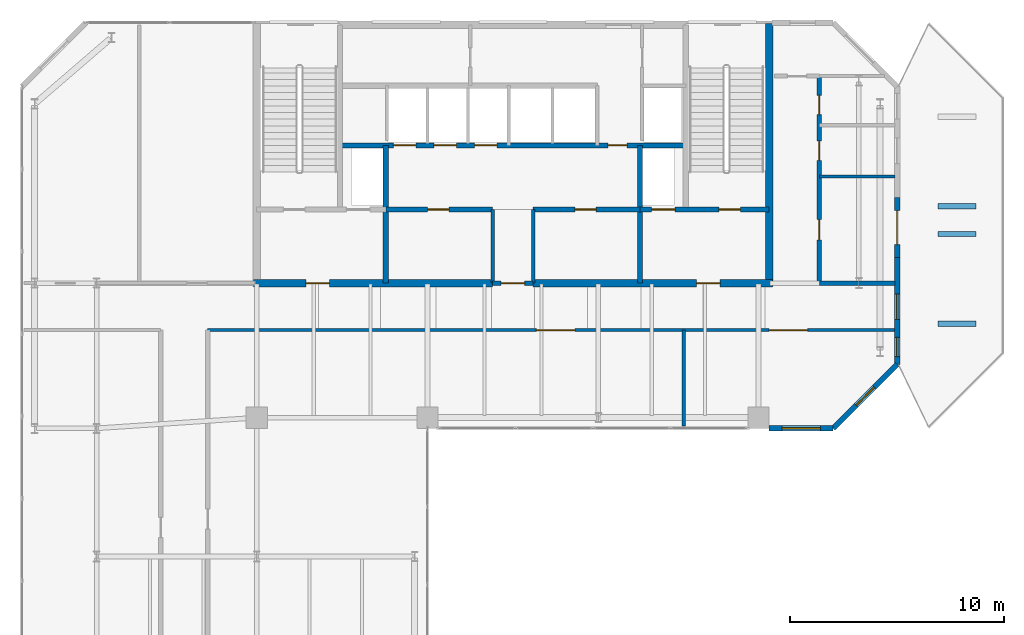
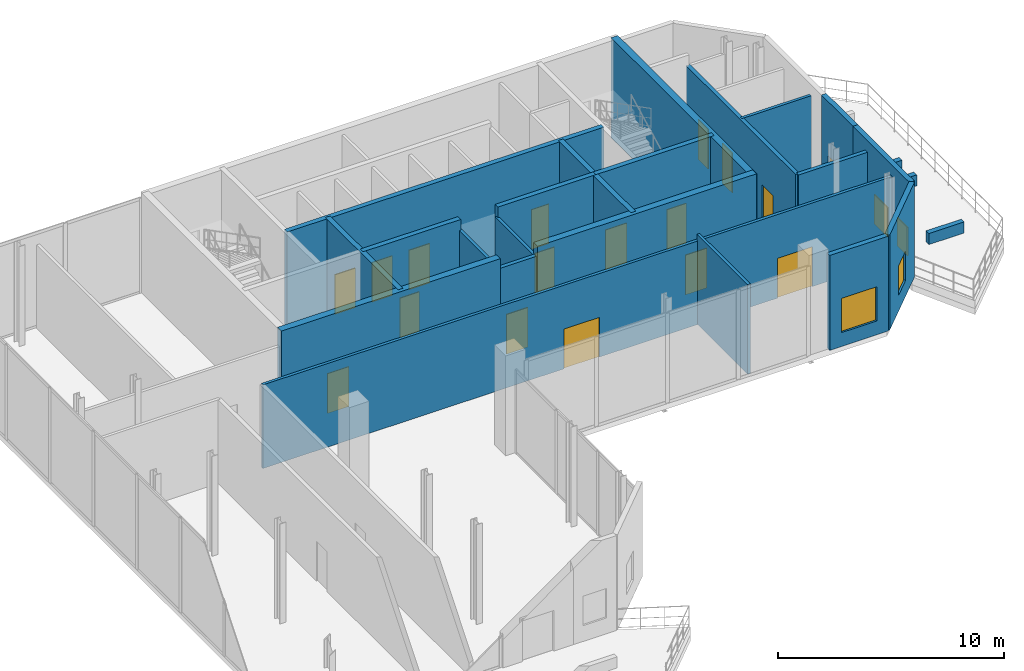
# One storey, part 14 of 17: 24 walls, 17 doors, 4 windows, 21 openings.
"""IFC4 building model written with IfcOpenShell, lengths in metres."""

from ifc_helpers import new_model, si_unit, direction, frame, frame_2d, origin, place, context, subcontext, project, spatial, rectangle, extrude, material, layer, layer_set, type_object, element, fill, save


model = new_model("IFC4")

# Units and contexts
model_context = context("Model", 3, precision=1e-05, world=origin(), true_north=direction((0.0, 1.0)))
body_context = subcontext(model_context, "Body", "Model", "MODEL_VIEW")
ifc_project = project(units=[si_unit("LENGTHUNIT", "METRE"), si_unit("AREAUNIT", "SQUARE_METRE"), si_unit("VOLUMEUNIT", "CUBIC_METRE"), si_unit("PLANEANGLEUNIT", "RADIAN"), si_unit("MASSUNIT", "GRAM", prefix="KILO")], contexts=[model_context])

# Site, building, storey
site_placement = place(None, origin())
site = spatial("IfcSite", under=ifc_project, at=site_placement, CompositionType="ELEMENT")
building_placement = place(site_placement, origin())
building = spatial("IfcBuilding", under=site, at=building_placement, Name="Catumbela Crestline Tower", CompositionType="ELEMENT")
storey_placement = place(building_placement, frame((0.0, 0.0, 213.0)))
storey = spatial("IfcBuildingStorey", under=building, at=storey_placement, Name="L55", CompositionType="ELEMENT", Elevation=213.0)

# Walls
ifc_material_1 = material(Name="Concrete C50/60", Category="concrete")
ifc_layer_1 = layer(ifc_material_1, 0.25, Name="Concrete C50/60")
ifc_layer_set_1 = layer_set([ifc_layer_1], Name="Concrete C50/60")
wall_type_1 = type_object("IfcWallType", Name="CW-250D", PredefinedType="SHEAR", material=ifc_layer_set_1)
for number, where, z_axis, x_axis, name in (
    (1, (22.05, 30.8, 0.0), (0.0, 0.0, 1.0), (0.0, 1.0, 0.0), "L55 Structural Core Shear Wall FFW"),
    (2, (33.95, 30.8, 0.0), (0.0, 0.0, 1.0), (0.0, 1.0, 0.0), "L55 Structural Core Shear Wall FFE"),
):
    element("IfcWall", number, at=place(storey_placement, frame(where, z_axis=z_axis, x_axis=x_axis)), inside=storey, type_object=wall_type_1, Name=name, PredefinedType="SHEAR", context=body_context, shape_type="SweptSolid", body=[
        extrude(rectangle(XDim=6.45, YDim=0.25, at=frame_2d((3.225, 0.0))), origin(), (0.0, 0.0, 1.0), 5.4),
    ])

# Wall, openings, doors
wall_1_placement = place(storey_placement, frame((33.95, 34.25, 0.0), z_axis=(0.0, 0.0, 1.0), x_axis=(1.0, 0.0, 0.0)))
wall_1 = element("IfcWall", 3, at=wall_1_placement, inside=storey, type_object=wall_type_1, Name="L55 Structural Core Shear Wall ST2S", PredefinedType="SHEAR", context=body_context, shape_type="SweptSolid", body=[
    extrude(rectangle(XDim=6.05, YDim=0.25, at=frame_2d((3.025, 0.0))), origin(), (0.0, 0.0, 1.0), 5.4),
])
opening_1_placement = place(wall_1_placement, frame((3.7, 0.0, 0.0)))
opening_1 = element("IfcOpeningElement", 4, at=opening_1_placement, cuts=wall_1, Name="Opening DF9-100", PredefinedType="OPENING", context=body_context, shape_type="SweptSolid", body=[
    extrude(rectangle(XDim=1.0, YDim=2.15, at=frame_2d((0.5, 1.075))), frame((0.0, 0.135, 0.0), z_axis=(0.0, -1.0, 0.0), x_axis=(1.0, 0.0, 0.0)), (0.0, 0.0, 1.0), 0.27),
])
opening_2_placement = place(wall_1_placement, frame((0.55, 0.0, 0.0)))
opening_2 = element("IfcOpeningElement", 5, at=opening_2_placement, cuts=wall_1, Name="Opening LD-110", PredefinedType="OPENING", context=body_context, shape_type="SweptSolid", body=[
    extrude(rectangle(XDim=1.1, YDim=2.15, at=frame_2d((0.55, 1.075))), frame((0.0, 0.135, 0.0), z_axis=(0.0, -1.0, 0.0), x_axis=(1.0, 0.0, 0.0)), (0.0, 0.0, 1.0), 0.27),
])
ifc_material_2 = material(Name="Stainless steel EN 1.4401", Category="steel")
door_type_1 = type_object("IfcDoorType", Name="DF9-100", OperationType="NOTDEFINED", PredefinedType="DOOR", material=ifc_material_2)
door_1_placement = place(opening_1_placement, origin())
door_1 = element("IfcDoor", 6, at=door_1_placement, inside=storey, type_object=door_type_1, Name="L55 Interior Door DR-L55-ST02", OperationType="SINGLE_SWING_RIGHT", OverallHeight=2.15, OverallWidth=1.0, PredefinedType="DOOR", context=body_context, shape_type="SweptSolid", body=[
    extrude(rectangle(XDim=1.0, YDim=2.15, at=frame_2d((0.5, 1.075))), frame((0.0, 0.025, 0.0), z_axis=(0.0, -1.0, 0.0), x_axis=(1.0, 0.0, 0.0)), (0.0, 0.0, 1.0), 0.05),
])
fill(opening_1, door_1)
door_type_2 = type_object("IfcDoorType", Name="LD-110", OperationType="NOTDEFINED", PredefinedType="DOOR", material=ifc_material_2)
door_2_placement = place(opening_2_placement, origin())
door_2 = element("IfcDoor", 7, at=door_2_placement, inside=storey, type_object=door_type_2, Name="L55 Lift Landing Sliding Door FL-02", OperationType="DOUBLE_DOOR_SLIDING", OverallHeight=2.15, OverallWidth=1.1, PredefinedType="DOOR", context=body_context, shape_type="SweptSolid", body=[
    extrude(rectangle(XDim=1.1, YDim=2.15, at=frame_2d((0.55, 1.075))), frame((0.0, 0.025, 0.0), z_axis=(0.0, -1.0, 0.0), x_axis=(1.0, 0.0, 0.0)), (0.0, 0.0, 1.0), 0.05),
])
fill(opening_2, door_2)

# Wall, opening, door
wall_2_placement = place(storey_placement, frame((22.05, 34.25, 0.0), z_axis=(0.0, 0.0, 1.0), x_axis=(1.0, 0.0, 0.0)))
wall_2 = element("IfcWall", 8, at=wall_2_placement, inside=storey, type_object=wall_type_1, Name="L55 Structural Core Shear Wall LIFTS-W", PredefinedType="SHEAR", context=body_context, shape_type="SweptSolid", body=[
    extrude(rectangle(XDim=5.0, YDim=0.25, at=frame_2d((2.5, 0.0))), origin(), (0.0, 0.0, 1.0), 5.4),
])
opening_3_placement = place(wall_2_placement, frame((1.95, 0.0, 0.0)))
opening_3 = element("IfcOpeningElement", 9, at=opening_3_placement, cuts=wall_2, Name="Opening DF9-100", PredefinedType="OPENING", context=body_context, shape_type="SweptSolid", body=[
    extrude(rectangle(XDim=1.0, YDim=2.15, at=frame_2d((0.5, 1.075))), frame((0.0, 0.135, 0.0), z_axis=(0.0, -1.0, 0.0), x_axis=(1.0, 0.0, 0.0)), (0.0, 0.0, 1.0), 0.27),
])
door_3_placement = place(opening_3_placement, origin())
door_3 = element("IfcDoor", 10, at=door_3_placement, inside=storey, type_object=door_type_1, Name="L55 Interior Door DR-L55-RECL1", OperationType="SINGLE_SWING_LEFT", OverallHeight=2.15, OverallWidth=1.0, PredefinedType="DOOR", context=body_context, shape_type="SweptSolid", body=[
    extrude(rectangle(XDim=1.0, YDim=2.15, at=frame_2d((0.5, 1.075))), frame((0.0, 0.025, 0.0), z_axis=(0.0, -1.0, 0.0), x_axis=(1.0, 0.0, 0.0)), (0.0, 0.0, 1.0), 0.05),
])
fill(opening_3, door_3)

wall_3_placement = place(storey_placement, frame((28.95, 34.25, 0.0), z_axis=(0.0, 0.0, 1.0), x_axis=(1.0, 0.0, 0.0)))
wall_3 = element("IfcWall", 11, at=wall_3_placement, inside=storey, type_object=wall_type_1, Name="L55 Structural Core Shear Wall LIFTS-E", PredefinedType="SHEAR", context=body_context, shape_type="SweptSolid", body=[
    extrude(rectangle(XDim=5.0, YDim=0.25, at=frame_2d((2.5, 0.0))), origin(), (0.0, 0.0, 1.0), 5.4),
])
opening_4_placement = place(wall_3_placement, frame((1.95, 0.0, 0.0)))
opening_4 = element("IfcOpeningElement", 12, at=opening_4_placement, cuts=wall_3, Name="Opening DF9-100", PredefinedType="OPENING", context=body_context, shape_type="SweptSolid", body=[
    extrude(rectangle(XDim=1.0, YDim=2.15, at=frame_2d((0.5, 1.075))), frame((0.0, 0.135, 0.0), z_axis=(0.0, -1.0, 0.0), x_axis=(1.0, 0.0, 0.0)), (0.0, 0.0, 1.0), 0.27),
])
door_4_placement = place(opening_4_placement, origin())
door_4 = element("IfcDoor", 13, at=door_4_placement, inside=storey, type_object=door_type_1, Name="L55 Interior Door DR-L55-RECL2", OperationType="SINGLE_SWING_RIGHT", OverallHeight=2.15, OverallWidth=1.0, PredefinedType="DOOR", context=body_context, shape_type="SweptSolid", body=[
    extrude(rectangle(XDim=1.0, YDim=2.15, at=frame_2d((0.5, 1.075))), frame((0.0, 0.025, 0.0), z_axis=(0.0, -1.0, 0.0), x_axis=(1.0, 0.0, 0.0)), (0.0, 0.0, 1.0), 0.05),
])
fill(opening_4, door_4)

# Wall, openings, doors
wall_4_placement = place(storey_placement, frame((19.9, 37.25, 0.0), z_axis=(0.0, 0.0, 1.0), x_axis=(1.0, 0.0, 0.0)))
wall_4 = element("IfcWall", 14, at=wall_4_placement, inside=storey, type_object=wall_type_1, Name="L55 Structural Core Shear Wall LIFTN", PredefinedType="SHEAR", context=body_context, shape_type="SweptSolid", body=[
    extrude(rectangle(XDim=16.2, YDim=0.25, at=frame_2d((8.1, 0.0))), origin(), (0.0, 0.0, 1.0), 5.4),
])
opening_5_placement = place(wall_4_placement, frame((12.55, 0.0, 0.0)))
opening_5 = element("IfcOpeningElement", 15, at=opening_5_placement, cuts=wall_4, Name="Opening DF9-090", PredefinedType="OPENING", context=body_context, shape_type="SweptSolid", body=[
    extrude(rectangle(XDim=0.9, YDim=2.15, at=frame_2d((0.45, 1.075))), frame((0.0, 0.135, 0.0), z_axis=(0.0, -1.0, 0.0), x_axis=(1.0, 0.0, 0.0)), (0.0, 0.0, 1.0), 0.27),
])
opening_6_placement = place(wall_4_placement, frame((2.5, 0.0, 0.0)))
opening_6 = element("IfcOpeningElement", 16, at=opening_6_placement, cuts=wall_4, Name="Opening LD-105", PredefinedType="OPENING", context=body_context, shape_type="SweptSolid", body=[
    extrude(rectangle(XDim=1.05, YDim=2.15, at=frame_2d((0.525, 1.075))), frame((0.0, 0.135, 0.0), z_axis=(0.0, -1.0, 0.0), x_axis=(1.0, 0.0, 0.0)), (0.0, 0.0, 1.0), 0.27),
])
opening_7_placement = place(wall_4_placement, frame((4.4, 0.0, 0.0)))
opening_7 = element("IfcOpeningElement", 17, at=opening_7_placement, cuts=wall_4, Name="Opening LD-105", PredefinedType="OPENING", context=body_context, shape_type="SweptSolid", body=[
    extrude(rectangle(XDim=1.05, YDim=2.15, at=frame_2d((0.525, 1.075))), frame((0.0, 0.135, 0.0), z_axis=(0.0, -1.0, 0.0), x_axis=(1.0, 0.0, 0.0)), (0.0, 0.0, 1.0), 0.27),
])
opening_8_placement = place(wall_4_placement, frame((6.3, 0.0, 0.0)))
opening_8 = element("IfcOpeningElement", 18, at=opening_8_placement, cuts=wall_4, Name="Opening LD-105", PredefinedType="OPENING", context=body_context, shape_type="SweptSolid", body=[
    extrude(rectangle(XDim=1.05, YDim=2.15, at=frame_2d((0.525, 1.075))), frame((0.0, 0.135, 0.0), z_axis=(0.0, -1.0, 0.0), x_axis=(1.0, 0.0, 0.0)), (0.0, 0.0, 1.0), 0.27),
])
door_type_3 = type_object("IfcDoorType", Name="DF9-090", OperationType="NOTDEFINED", PredefinedType="DOOR", material=ifc_material_2)
door_5_placement = place(opening_5_placement, origin())
door_5 = element("IfcDoor", 19, at=door_5_placement, inside=storey, type_object=door_type_3, Name="L55 Interior Door DR-L55-CPAS1", OperationType="SINGLE_SWING_LEFT", OverallHeight=2.15, OverallWidth=0.9, PredefinedType="DOOR", context=body_context, shape_type="SweptSolid", body=[
    extrude(rectangle(XDim=0.9, YDim=2.15, at=frame_2d((0.45, 1.075))), frame((0.0, 0.025, 0.0), z_axis=(0.0, -1.0, 0.0), x_axis=(1.0, 0.0, 0.0)), (0.0, 0.0, 1.0), 0.05),
])
fill(opening_5, door_5)
door_type_4 = type_object("IfcDoorType", Name="LD-105", OperationType="NOTDEFINED", PredefinedType="DOOR", material=ifc_material_2)
door_6_placement = place(opening_6_placement, origin())
door_6 = element("IfcDoor", 20, at=door_6_placement, inside=storey, type_object=door_type_4, Name="L55 Lift Landing Sliding Door PL-H1", OperationType="DOUBLE_DOOR_SLIDING", OverallHeight=2.15, OverallWidth=1.05, PredefinedType="DOOR", context=body_context, shape_type="SweptSolid", body=[
    extrude(rectangle(XDim=1.05, YDim=2.15, at=frame_2d((0.525, 1.075))), frame((0.0, 0.025, 0.0), z_axis=(0.0, -1.0, 0.0), x_axis=(1.0, 0.0, 0.0)), (0.0, 0.0, 1.0), 0.05),
])
fill(opening_6, door_6)
door_7_placement = place(opening_7_placement, origin())
door_7 = element("IfcDoor", 21, at=door_7_placement, inside=storey, type_object=door_type_4, Name="L55 Lift Landing Sliding Door PL-H2", OperationType="DOUBLE_DOOR_SLIDING", OverallHeight=2.15, OverallWidth=1.05, PredefinedType="DOOR", context=body_context, shape_type="SweptSolid", body=[
    extrude(rectangle(XDim=1.05, YDim=2.15, at=frame_2d((0.525, 1.075))), frame((0.0, 0.025, 0.0), z_axis=(0.0, -1.0, 0.0), x_axis=(1.0, 0.0, 0.0)), (0.0, 0.0, 1.0), 0.05),
])
fill(opening_7, door_7)
door_8_placement = place(opening_8_placement, origin())
door_8 = element("IfcDoor", 22, at=door_8_placement, inside=storey, type_object=door_type_4, Name="L55 Lift Landing Sliding Door PL-H3", OperationType="DOUBLE_DOOR_SLIDING", OverallHeight=2.15, OverallWidth=1.05, PredefinedType="DOOR", context=body_context, shape_type="SweptSolid", body=[
    extrude(rectangle(XDim=1.05, YDim=2.15, at=frame_2d((0.525, 1.075))), frame((0.0, 0.025, 0.0), z_axis=(0.0, -1.0, 0.0), x_axis=(1.0, 0.0, 0.0)), (0.0, 0.0, 1.0), 0.05),
])
fill(opening_8, door_8)

# Wall
ifc_layer_2 = layer(ifc_material_1, 0.35, Name="Concrete C50/60")
ifc_layer_set_2 = layer_set([ifc_layer_2], Name="Concrete C50/60")
wall_type_2 = type_object("IfcWallType", Name="CW-350B", PredefinedType="SHEAR", material=ifc_layer_set_2)
wall_5_placement = place(storey_placement, frame((40.0, 30.65, 0.0), z_axis=(0.0, 0.0, 1.0), x_axis=(0.0, 1.0, 0.0)))
element("IfcWall", 23, at=wall_5_placement, inside=storey, type_object=wall_type_2, Name="L55 Structural Core Shear Wall E", PredefinedType="SHEAR", context=body_context, shape_type="SweptSolid", body=[
    extrude(rectangle(XDim=12.3, YDim=0.35, at=frame_2d((6.15, 0.0))), origin(), (0.0, 0.0, 1.0), 5.4),
])

# Wall, opening, door
wall_6_placement = place(storey_placement, frame((15.85, 30.8, 0.0), z_axis=(0.0, 0.0, 1.0), x_axis=(1.0, 0.0, 0.0)))
wall_6 = element("IfcWall", 24, at=wall_6_placement, inside=storey, type_object=wall_type_2, Name="L55 Structural Core Shear Wall SW", PredefinedType="SHEAR", context=body_context, shape_type="SweptSolid", body=[
    extrude(rectangle(XDim=11.2, YDim=0.35, at=frame_2d((5.6, 0.0))), origin(), (0.0, 0.0, 1.0), 5.4),
])
opening_9_placement = place(wall_6_placement, frame((2.45, 0.0, 0.0)))
opening_9 = element("IfcOpeningElement", 25, at=opening_9_placement, cuts=wall_6, Name="Opening DF9-110", PredefinedType="OPENING", context=body_context, shape_type="SweptSolid", body=[
    extrude(rectangle(XDim=1.1, YDim=2.15, at=frame_2d((0.55, 1.075))), frame((0.0, 0.185, 0.0), z_axis=(0.0, -1.0, 0.0), x_axis=(1.0, 0.0, 0.0)), (0.0, 0.0, 1.0), 0.37),
])
door_type_5 = type_object("IfcDoorType", Name="DF9-110", OperationType="NOTDEFINED", PredefinedType="DOOR", material=ifc_material_2)
door_9_placement = place(opening_9_placement, origin())
door_9 = element("IfcDoor", 26, at=door_9_placement, inside=storey, type_object=door_type_5, Name="L55 Interior Door DR-L55-FFW-S", OperationType="SINGLE_SWING_LEFT", OverallHeight=2.15, OverallWidth=1.1, PredefinedType="DOOR", context=body_context, shape_type="SweptSolid", body=[
    extrude(rectangle(XDim=1.1, YDim=2.15, at=frame_2d((0.55, 1.075))), frame((0.0, 0.025, 0.0), z_axis=(0.0, -1.0, 0.0), x_axis=(1.0, 0.0, 0.0)), (0.0, 0.0, 1.0), 0.05),
])
fill(opening_9, door_9)

wall_7_placement = place(storey_placement, frame((28.95, 30.8, 0.0), z_axis=(0.0, 0.0, 1.0), x_axis=(1.0, 0.0, 0.0)))
wall_7 = element("IfcWall", 27, at=wall_7_placement, inside=storey, type_object=wall_type_2, Name="L55 Structural Core Shear Wall SE", PredefinedType="SHEAR", context=body_context, shape_type="SweptSolid", body=[
    extrude(rectangle(XDim=11.2, YDim=0.35, at=frame_2d((5.6, 0.0))), origin(), (0.0, 0.0, 1.0), 5.4),
])
opening_10_placement = place(wall_7_placement, frame((7.65, 0.0, 0.0)))
opening_10 = element("IfcOpeningElement", 28, at=opening_10_placement, cuts=wall_7, Name="Opening DF9-110", PredefinedType="OPENING", context=body_context, shape_type="SweptSolid", body=[
    extrude(rectangle(XDim=1.1, YDim=2.15, at=frame_2d((0.55, 1.075))), frame((0.0, 0.185, 0.0), z_axis=(0.0, -1.0, 0.0), x_axis=(1.0, 0.0, 0.0)), (0.0, 0.0, 1.0), 0.37),
])
door_10_placement = place(opening_10_placement, origin())
door_10 = element("IfcDoor", 29, at=door_10_placement, inside=storey, type_object=door_type_5, Name="L55 Interior Door DR-L55-FFE-S", OperationType="SINGLE_SWING_RIGHT", OverallHeight=2.15, OverallWidth=1.1, PredefinedType="DOOR", context=body_context, shape_type="SweptSolid", body=[
    extrude(rectangle(XDim=1.1, YDim=2.15, at=frame_2d((0.55, 1.075))), frame((0.0, 0.025, 0.0), z_axis=(0.0, -1.0, 0.0), x_axis=(1.0, 0.0, 0.0)), (0.0, 0.0, 1.0), 0.05),
])
fill(opening_10, door_10)

ifc_material_3 = material(Name="Acoustic gypsum and mineral-wool partition")
ifc_layer_3 = layer(ifc_material_3, 0.2, Name="Acoustic gypsum and mineral-wool partition")
ifc_layer_set_3 = layer_set([ifc_layer_3], Name="Acoustic gypsum and mineral-wool partition")
wall_type_3 = type_object("IfcWallType", Name="WC-200", PredefinedType="PARTITIONING", material=ifc_layer_set_3)
wall_8_placement = place(storey_placement, frame((27.05, 30.8, 0.0), z_axis=(0.0, 0.0, 1.0), x_axis=(1.0, 0.0, 0.0)))
wall_8 = element("IfcWall", 30, at=wall_8_placement, inside=storey, type_object=wall_type_3, Name="L55 Interior Partition PW-L55-CLOBS", PredefinedType="PARTITIONING", context=body_context, shape_type="SweptSolid", body=[
    extrude(rectangle(XDim=1.9, YDim=0.2, at=frame_2d((0.95, 0.0))), origin(), (0.0, 0.0, 1.0), 4.82),
])
opening_11_placement = place(wall_8_placement, frame((0.4, 0.0, 0.0)))
opening_11 = element("IfcOpeningElement", 31, at=opening_11_placement, cuts=wall_8, Name="Opening DF9-110", PredefinedType="OPENING", context=body_context, shape_type="SweptSolid", body=[
    extrude(rectangle(XDim=1.1, YDim=2.15, at=frame_2d((0.55, 1.075))), frame((0.0, 0.11, 0.0), z_axis=(0.0, -1.0, 0.0), x_axis=(1.0, 0.0, 0.0)), (0.0, 0.0, 1.0), 0.22),
])
door_11_placement = place(opening_11_placement, origin())
door_11 = element("IfcDoor", 32, at=door_11_placement, inside=storey, type_object=door_type_5, Name="L55 Interior Door DR-L55-CLOBS", OperationType="SINGLE_SWING_LEFT", OverallHeight=2.15, OverallWidth=1.1, PredefinedType="DOOR", context=body_context, shape_type="SweptSolid", body=[
    extrude(rectangle(XDim=1.1, YDim=2.15, at=frame_2d((0.55, 1.075))), frame((0.0, 0.025, 0.0), z_axis=(0.0, -1.0, 0.0), x_axis=(1.0, 0.0, 0.0)), (0.0, 0.0, 1.0), 0.05),
])
fill(opening_11, door_11)

# Wall
wall_9_placement = place(storey_placement, frame((42.35, 30.8, 0.0), z_axis=(0.0, 0.0, 1.0), x_axis=(1.0, 0.0, 0.0)))
element("IfcWall", 33, at=wall_9_placement, inside=storey, type_object=wall_type_3, Name="L55 Interior Partition PW-L55-ELNGS", PredefinedType="PARTITIONING", context=body_context, shape_type="SweptSolid", body=[
    extrude(rectangle(XDim=3.55, YDim=0.2, at=frame_2d((1.775, 0.0))), origin(), (0.0, 0.0, 1.0), 4.52),
])

# Wall, openings, doors
wall_10_placement = place(storey_placement, frame((42.35, 30.8, 0.0), z_axis=(0.0, 0.0, 1.0), x_axis=(0.0, 1.0, 0.0)))
wall_10 = element("IfcWall", 34, at=wall_10_placement, inside=storey, type_object=wall_type_3, Name="L55 Interior Partition PW-L55-ELNG", PredefinedType="PARTITIONING", context=body_context, shape_type="SweptSolid", body=[
    extrude(rectangle(XDim=9.7, YDim=0.2, at=frame_2d((4.85, 0.0))), origin(), (0.0, 0.0, 1.0), 4.52),
])
opening_12_placement = place(wall_10_placement, frame((2.025, 0.0, 0.0)))
opening_12 = element("IfcOpeningElement", 35, at=opening_12_placement, cuts=wall_10, Name="Opening DF6-095", PredefinedType="OPENING", context=body_context, shape_type="SweptSolid", body=[
    extrude(rectangle(XDim=0.95, YDim=2.15, at=frame_2d((0.475, 1.075))), frame((0.0, 0.11, 0.0), z_axis=(0.0, -1.0, 0.0), x_axis=(1.0, 0.0, 0.0)), (0.0, 0.0, 1.0), 0.22),
])
opening_13_placement = place(wall_10_placement, frame((5.75, 0.0, 0.0)))
opening_13 = element("IfcOpeningElement", 36, at=opening_13_placement, cuts=wall_10, Name="Opening DI-090", PredefinedType="OPENING", context=body_context, shape_type="SweptSolid", body=[
    extrude(rectangle(XDim=0.9, YDim=2.15, at=frame_2d((0.45, 1.075))), frame((0.0, 0.11, 0.0), z_axis=(0.0, -1.0, 0.0), x_axis=(1.0, 0.0, 0.0)), (0.0, 0.0, 1.0), 0.22),
])
opening_14_placement = place(wall_10_placement, frame((7.8933, 0.0, 0.0)))
opening_14 = element("IfcOpeningElement", 37, at=opening_14_placement, cuts=wall_10, Name="Opening DI-090", PredefinedType="OPENING", context=body_context, shape_type="SweptSolid", body=[
    extrude(rectangle(XDim=0.9, YDim=2.15, at=frame_2d((0.45, 1.075))), frame((0.0, 0.11, 0.0), z_axis=(0.0, -1.0, 0.0), x_axis=(1.0, 0.0, 0.0)), (0.0, 0.0, 1.0), 0.22),
])
ifc_material_4 = material(Name="Aluminium alloy AW-6060-T66", Category="aluminium")
door_type_6 = type_object("IfcDoorType", Name="DF6-095", OperationType="NOTDEFINED", PredefinedType="DOOR", material=ifc_material_4)
door_12_placement = place(opening_12_placement, origin())
door_12 = element("IfcDoor", 38, at=door_12_placement, inside=storey, type_object=door_type_6, Name="L55 Interior Door DR-L55-ELNG", OperationType="SINGLE_SWING_RIGHT", OverallHeight=2.15, OverallWidth=0.95, PredefinedType="DOOR", context=body_context, shape_type="SweptSolid", body=[
    extrude(rectangle(XDim=0.95, YDim=2.15, at=frame_2d((0.475, 1.075))), frame((0.0, 0.025, 0.0), z_axis=(0.0, -1.0, 0.0), x_axis=(1.0, 0.0, 0.0)), (0.0, 0.0, 1.0), 0.05),
])
fill(opening_12, door_12)
door_type_7 = type_object("IfcDoorType", Name="DI-090", OperationType="NOTDEFINED", PredefinedType="DOOR", material=ifc_material_4)
door_13_placement = place(opening_13_placement, origin())
door_13 = element("IfcDoor", 39, at=door_13_placement, inside=storey, type_object=door_type_7, Name="L55 Interior Door DR-L55-WC", OperationType="SINGLE_SWING_RIGHT", OverallHeight=2.15, OverallWidth=0.9, PredefinedType="DOOR", context=body_context, shape_type="SweptSolid", body=[
    extrude(rectangle(XDim=0.9, YDim=2.15, at=frame_2d((0.45, 1.075))), frame((0.0, 0.025, 0.0), z_axis=(0.0, -1.0, 0.0), x_axis=(1.0, 0.0, 0.0)), (0.0, 0.0, 1.0), 0.05),
])
fill(opening_13, door_13)
door_14_placement = place(opening_14_placement, origin())
door_14 = element("IfcDoor", 40, at=door_14_placement, inside=storey, type_object=door_type_7, Name="L55 Interior Door DR-L55-AWC", OperationType="SINGLE_SWING_RIGHT", OverallHeight=2.15, OverallWidth=0.9, PredefinedType="DOOR", context=body_context, shape_type="SweptSolid", body=[
    extrude(rectangle(XDim=0.9, YDim=2.15, at=frame_2d((0.45, 1.075))), frame((0.0, 0.025, 0.0), z_axis=(0.0, -1.0, 0.0), x_axis=(1.0, 0.0, 0.0)), (0.0, 0.0, 1.0), 0.05),
])
fill(opening_14, door_14)

# Wall, opening, window
ifc_material_5 = material(Name="Angolan grey-ochre granite", Category="masonry")
ifc_layer_4 = layer(ifc_material_5, 0.25, Name="Angolan grey-ochre granite")
ifc_layer_set_4 = layer_set([ifc_layer_4], Name="Angolan grey-ochre granite")
wall_type_4 = type_object("IfcWallType", Name="WE-250", PredefinedType="STANDARD", material=ifc_layer_set_4)
wall_11_placement = place(storey_placement, frame((40.0, 24.0, 0.0), z_axis=(0.0, 0.0, 1.0), x_axis=(1.0, 0.0, 0.0)))
wall_11 = element("IfcWall", 41, at=wall_11_placement, inside=storey, type_object=wall_type_4, Name="L55 Granite Punched Window Wall 3-2", PredefinedType="STANDARD", context=body_context, shape_type="SweptSolid", body=[
    extrude(rectangle(XDim=3.0, YDim=0.25, at=frame_2d((1.5, 0.0))), origin(), (0.0, 0.0, 1.0), 5.13),
])
opening_15_placement = place(wall_11_placement, frame((0.6, 0.0, 0.75)))
opening_15 = element("IfcOpeningElement", 42, at=opening_15_placement, cuts=wall_11, Name="Opening WN-01", PredefinedType="OPENING", context=body_context, shape_type="SweptSolid", body=[
    extrude(rectangle(XDim=1.8, YDim=1.85, at=frame_2d((0.9, 0.925))), frame((0.0, 0.135, 0.0), z_axis=(0.0, -1.0, 0.0), x_axis=(1.0, 0.0, 0.0)), (0.0, 0.0, 1.0), 0.27),
])
ifc_material_6 = material(Name="Low-E laminated solar-control double glazing", Category="glass")
window_type_1 = type_object("IfcWindowType", Name="WF-1800", PartitioningType="SINGLE_PANEL", PredefinedType="WINDOW", material=ifc_material_6)
window_1_placement = place(opening_15_placement, origin())
window_1 = element("IfcWindow", 43, at=window_1_placement, inside=storey, type_object=window_type_1, Name="L55 Facade Vision Window 369", OverallHeight=1.85, OverallWidth=1.8, PartitioningType="SINGLE_PANEL", PredefinedType="WINDOW", context=body_context, shape_type="SweptSolid", body=[
    extrude(rectangle(XDim=1.8, YDim=1.85, at=frame_2d((0.9, 0.925))), frame((0.0, 0.03, 0.0), z_axis=(0.0, -1.0, 0.0), x_axis=(1.0, 0.0, 0.0)), (0.0, 0.0, 1.0), 0.06),
])
fill(opening_15, window_1)

wall_12_placement = place(storey_placement, frame((43.0, 24.0, 0.0), z_axis=(0.0, 0.0, 1.0), x_axis=(0.707106781187, 0.707106781187, 0.0)))
wall_12 = element("IfcWall", 44, at=wall_12_placement, inside=storey, type_object=wall_type_4, Name="L55 Granite Punched Window Wall 4-1", PredefinedType="STANDARD", context=body_context, shape_type="SweptSolid", body=[
    extrude(rectangle(XDim=4.2426, YDim=0.25, at=frame_2d((2.1213, 0.0))), origin(), (0.0, 0.0, 1.0), 5.13),
])
opening_16_placement = place(wall_12_placement, frame((1.5213, 0.0, 0.85)))
opening_16 = element("IfcOpeningElement", 45, at=opening_16_placement, cuts=wall_12, Name="Opening WN-02", PredefinedType="OPENING", context=body_context, shape_type="SweptSolid", body=[
    extrude(rectangle(XDim=1.2, YDim=1.6, at=frame_2d((0.6, 0.8))), frame((0.0, 0.135, 0.0), z_axis=(0.0, -1.0, 0.0), x_axis=(1.0, 0.0, 0.0)), (0.0, 0.0, 1.0), 0.27),
])
window_type_2 = type_object("IfcWindowType", Name="WO-1200", PartitioningType="SINGLE_PANEL", PredefinedType="WINDOW", material=ifc_material_6)
window_2_placement = place(opening_16_placement, origin())
window_2 = element("IfcWindow", 46, at=window_2_placement, inside=storey, type_object=window_type_2, Name="L55 Facade Vision Window 370", OverallHeight=1.6, OverallWidth=1.2, PartitioningType="SINGLE_PANEL", PredefinedType="WINDOW", context=body_context, shape_type="SweptSolid", body=[
    extrude(rectangle(XDim=1.2, YDim=1.6, at=frame_2d((0.6, 0.8))), frame((0.0, 0.03, 0.0), z_axis=(0.0, -1.0, 0.0), x_axis=(1.0, 0.0, 0.0)), (0.0, 0.0, 1.0), 0.06),
])
fill(opening_16, window_2)

# Wall, opening, door
wall_13_placement = place(storey_placement, frame((46.0, 32.0, 0.0), z_axis=(0.0, 0.0, 1.0), x_axis=(0.0, 1.0, 0.0)))
wall_13 = element("IfcWall", 47, at=wall_13_placement, inside=storey, type_object=wall_type_4, Name="L55 Exterior Threshold Portal Wall DR-L55-TER-E", PredefinedType="STANDARD", context=body_context, shape_type="SweptSolid", body=[
    extrude(rectangle(XDim=2.8, YDim=0.25, at=frame_2d((1.4, 0.0))), origin(), (0.0, 0.0, 1.0), 5.13),
])
opening_17_placement = place(wall_13_placement, frame((0.6, 0.0, 0.0)))
opening_17 = element("IfcOpeningElement", 48, at=opening_17_placement, cuts=wall_13, Name="Opening DT-06", PredefinedType="OPENING", context=body_context, shape_type="SweptSolid", body=[
    extrude(rectangle(XDim=1.6, YDim=2.2, at=frame_2d((0.8, 1.1))), frame((0.0, 0.135, 0.0), z_axis=(0.0, -1.0, 0.0), x_axis=(1.0, 0.0, 0.0)), (0.0, 0.0, 1.0), 0.27),
])
door_type_8 = type_object("IfcDoorType", Name="DT-1600", OperationType="NOTDEFINED", PredefinedType="DOOR", material=ifc_material_4)
door_15_placement = place(opening_17_placement, origin())
door_15 = element("IfcDoor", 49, at=door_15_placement, inside=storey, type_object=door_type_8, Name="L55 East Sky-Garden Terrace Door", OperationType="DOUBLE_DOOR_SINGLE_SWING", OverallHeight=2.2, OverallWidth=1.6, PredefinedType="DOOR", context=body_context, shape_type="SweptSolid", body=[
    extrude(rectangle(XDim=1.6, YDim=2.2, at=frame_2d((0.8, 1.1))), frame((0.0, 0.025, 0.0), z_axis=(0.0, -1.0, 0.0), x_axis=(1.0, 0.0, 0.0)), (0.0, 0.0, 1.0), 0.05),
])
fill(opening_17, door_15)

# Wall, openings, windows
wall_14_placement = place(storey_placement, frame((46.0, 27.0, 0.0), z_axis=(0.0, 0.0, 1.0), x_axis=(0.0, 1.0, 0.0)))
wall_14 = element("IfcWall", 50, at=wall_14_placement, inside=storey, type_object=wall_type_4, Name="L55 Granite Punched Window Wall 5-1", PredefinedType="STANDARD", context=body_context, shape_type="SweptSolid", body=[
    extrude(rectangle(XDim=5.0, YDim=0.25, at=frame_2d((2.5, 0.0))), origin(), (0.0, 0.0, 1.0), 5.13),
])
opening_18_placement = place(wall_14_placement, frame((0.36, 0.0, 0.9)))
opening_18 = element("IfcOpeningElement", 51, at=opening_18_placement, cuts=wall_14, Name="Opening WN-03", PredefinedType="OPENING", context=body_context, shape_type="SweptSolid", body=[
    extrude(rectangle(XDim=0.9, YDim=1.55, at=frame_2d((0.45, 0.775))), frame((0.0, 0.135, 0.0), z_axis=(0.0, -1.0, 0.0), x_axis=(1.0, 0.0, 0.0)), (0.0, 0.0, 1.0), 0.27),
])
opening_19_placement = place(wall_14_placement, frame((2.1, 0.0, 0.85)))
opening_19 = element("IfcOpeningElement", 52, at=opening_19_placement, cuts=wall_14, Name="Opening WN-02", PredefinedType="OPENING", context=body_context, shape_type="SweptSolid", body=[
    extrude(rectangle(XDim=1.2, YDim=1.6, at=frame_2d((0.6, 0.8))), frame((0.0, 0.135, 0.0), z_axis=(0.0, -1.0, 0.0), x_axis=(1.0, 0.0, 0.0)), (0.0, 0.0, 1.0), 0.27),
])
window_type_3 = type_object("IfcWindowType", Name="WO-0900", PartitioningType="SINGLE_PANEL", PredefinedType="WINDOW", material=ifc_material_6)
window_3_placement = place(opening_18_placement, origin())
window_3 = element("IfcWindow", 53, at=window_3_placement, inside=storey, type_object=window_type_3, Name="L55 Facade Vision Window 371", OverallHeight=1.55, OverallWidth=0.9, PartitioningType="SINGLE_PANEL", PredefinedType="WINDOW", context=body_context, shape_type="SweptSolid", body=[
    extrude(rectangle(XDim=0.9, YDim=1.55, at=frame_2d((0.45, 0.775))), frame((0.0, 0.03, 0.0), z_axis=(0.0, -1.0, 0.0), x_axis=(1.0, 0.0, 0.0)), (0.0, 0.0, 1.0), 0.06),
])
fill(opening_18, window_3)
window_4_placement = place(opening_19_placement, origin())
window_4 = element("IfcWindow", 54, at=window_4_placement, inside=storey, type_object=window_type_2, Name="L55 Facade Vision Window 372", OverallHeight=1.6, OverallWidth=1.2, PartitioningType="SINGLE_PANEL", PredefinedType="WINDOW", context=body_context, shape_type="SweptSolid", body=[
    extrude(rectangle(XDim=1.2, YDim=1.6, at=frame_2d((0.6, 0.8))), frame((0.0, 0.03, 0.0), z_axis=(0.0, -1.0, 0.0), x_axis=(1.0, 0.0, 0.0)), (0.0, 0.0, 1.0), 0.06),
])
fill(opening_19, window_4)

# Wall
ifc_layer_5 = layer(ifc_material_3, 0.15, Name="Acoustic gypsum and mineral-wool partition")
ifc_layer_set_5 = layer_set([ifc_layer_5], Name="Acoustic gypsum and mineral-wool partition")
wall_type_5 = type_object("IfcWallType", Name="WP-150", PredefinedType="PARTITIONING", material=ifc_layer_set_5)
wall_15_placement = place(storey_placement, frame((42.35, 35.8, 0.0), z_axis=(0.0, 0.0, 1.0), x_axis=(1.0, 0.0, 0.0)))
element("IfcWall", 55, at=wall_15_placement, inside=storey, type_object=wall_type_5, Name="L55 Interior Partition PW-L55-ELNGN", PredefinedType="PARTITIONING", context=body_context, shape_type="SweptSolid", body=[
    extrude(rectangle(XDim=3.55, YDim=0.15, at=frame_2d((1.775, 0.0))), origin(), (0.0, 0.0, 1.0), 4.52),
])

# Wall, openings, doors
wall_16_placement = place(storey_placement, frame((13.7, 28.6, 0.0), z_axis=(0.0, 0.0, 1.0), x_axis=(1.0, 0.0, 0.0)))
wall_16 = element("IfcWall", 56, at=wall_16_placement, inside=storey, type_object=wall_type_5, Name="L55 Interior Partition PW-L55-SKREC", PredefinedType="PARTITIONING", context=body_context, shape_type="SweptSolid", body=[
    extrude(rectangle(XDim=32.2, YDim=0.15, at=frame_2d((16.1, 0.0))), origin(), (0.0, 0.0, 1.0), 4.52),
])
opening_20_placement = place(wall_16_placement, frame((15.4, 0.0, 0.0)))
opening_20 = element("IfcOpeningElement", 57, at=opening_20_placement, cuts=wall_16, Name="Opening DD-180", PredefinedType="OPENING", context=body_context, shape_type="SweptSolid", body=[
    extrude(rectangle(XDim=1.8, YDim=2.15, at=frame_2d((0.9, 1.075))), frame((0.0, 0.085, 0.0), z_axis=(0.0, -1.0, 0.0), x_axis=(1.0, 0.0, 0.0)), (0.0, 0.0, 1.0), 0.17),
])
opening_21_placement = place(wall_16_placement, frame((26.3, 0.0, 0.0)))
opening_21 = element("IfcOpeningElement", 58, at=opening_21_placement, cuts=wall_16, Name="Opening DD-180", PredefinedType="OPENING", context=body_context, shape_type="SweptSolid", body=[
    extrude(rectangle(XDim=1.8, YDim=2.15, at=frame_2d((0.9, 1.075))), frame((0.0, 0.085, 0.0), z_axis=(0.0, -1.0, 0.0), x_axis=(1.0, 0.0, 0.0)), (0.0, 0.0, 1.0), 0.17),
])
door_type_9 = type_object("IfcDoorType", Name="DD-180", OperationType="NOTDEFINED", PredefinedType="DOOR", material=ifc_material_4)
door_16_placement = place(opening_20_placement, origin())
door_16 = element("IfcDoor", 59, at=door_16_placement, inside=storey, type_object=door_type_9, Name="L55 Interior Door DR-L55-SKREC", OperationType="DOUBLE_DOOR_SINGLE_SWING", OverallHeight=2.15, OverallWidth=1.8, PredefinedType="DOOR", context=body_context, shape_type="SweptSolid", body=[
    extrude(rectangle(XDim=1.8, YDim=2.15, at=frame_2d((0.9, 1.075))), frame((0.0, 0.025, 0.0), z_axis=(0.0, -1.0, 0.0), x_axis=(1.0, 0.0, 0.0)), (0.0, 0.0, 1.0), 0.05),
])
fill(opening_20, door_16)
door_17_placement = place(opening_21_placement, origin())
door_17 = element("IfcDoor", 60, at=door_17_placement, inside=storey, type_object=door_type_9, Name="L55 Interior Door DR-L55-SKCAF", OperationType="DOUBLE_DOOR_SINGLE_SWING", OverallHeight=2.15, OverallWidth=1.8, PredefinedType="DOOR", context=body_context, shape_type="SweptSolid", body=[
    extrude(rectangle(XDim=1.8, YDim=2.15, at=frame_2d((0.9, 1.075))), frame((0.0, 0.025, 0.0), z_axis=(0.0, -1.0, 0.0), x_axis=(1.0, 0.0, 0.0)), (0.0, 0.0, 1.0), 0.05),
])
fill(opening_21, door_17)

# Walls
wall_17_placement = place(storey_placement, frame((36.0, 24.1, 0.0), z_axis=(0.0, 0.0, 1.0), x_axis=(0.0, 1.0, 0.0)))
element("IfcWall", 61, at=wall_17_placement, inside=storey, type_object=wall_type_5, Name="L55 Interior Partition PW-L55-SKRECE", PredefinedType="PARTITIONING", context=body_context, shape_type="SweptSolid", body=[
    extrude(rectangle(XDim=4.5, YDim=0.15, at=frame_2d((2.25, 0.0))), origin(), (0.0, 0.0, 1.0), 4.84),
])
ifc_material_7 = material(Name="Concrete C40/50", Category="concrete")
ifc_layer_6 = layer(ifc_material_7, 0.25, Name="Concrete C40/50")
ifc_layer_set_6 = layer_set([ifc_layer_6], Name="Concrete C40/50")
wall_type_6 = type_object("IfcWallType", Name="WPL-250", PredefinedType="USERDEFINED", material=ifc_layer_set_6)
for number, where, z_axis, x_axis, name in (
    (62, (47.9, 28.9, -0.02), (0.0, 0.0, 1.0), (1.0, 0.0, 0.0), "L55 Planted Sky-Garden GRC Planter Kerb 21"),
    (63, (47.9, 33.1, -0.02), (0.0, 0.0, 1.0), (1.0, 0.0, 0.0), "L55 Planted Sky-Garden GRC Planter Kerb 22"),
    (64, (47.9, 34.4, -0.02), (0.0, 0.0, 1.0), (1.0, 0.0, 0.0), "L55 Planted Sky-Garden GRC Planter Kerb 23"),
):
    element("IfcWall", number, at=place(storey_placement, frame(where, z_axis=z_axis, x_axis=x_axis)), inside=storey, type_object=wall_type_6, Name=name, ObjectType="PLANTER", PredefinedType="USERDEFINED", context=body_context, shape_type="SweptSolid", body=[
        extrude(rectangle(XDim=1.8, YDim=0.25, at=frame_2d((0.9, 0.0))), origin(), (0.0, 0.0, 1.0), 0.6),
    ])
ifc_layer_7 = layer(ifc_material_3, 0.15, Name="Acoustic gypsum and mineral-wool partition")
ifc_layer_set_7 = layer_set([ifc_layer_7], Name="Acoustic gypsum and mineral-wool partition")
wall_type_7 = type_object("IfcWallType", Name="WS-150", PredefinedType="PLUMBINGWALL", material=ifc_layer_set_7)
for number, where, z_axis, x_axis, name in (
    (65, (27.05, 30.8, 0.0), (0.0, 0.0, 1.0), (0.0, 1.0, 0.0), "L55 Interior Partition PW-L55-THRW"),
    (66, (28.95, 30.8, 0.0), (0.0, 0.0, 1.0), (0.0, 1.0, 0.0), "L55 Interior Partition PW-L55-THRE"),
):
    element("IfcWall", number, at=place(storey_placement, frame(where, z_axis=z_axis, x_axis=x_axis)), inside=storey, type_object=wall_type_7, Name=name, PredefinedType="PLUMBINGWALL", context=body_context, shape_type="SweptSolid", body=[
        extrude(rectangle(XDim=3.45, YDim=0.15, at=frame_2d((1.725, 0.0))), origin(), (0.0, 0.0, 1.0), 4.82),
    ])

save(model, "model.ifc")
